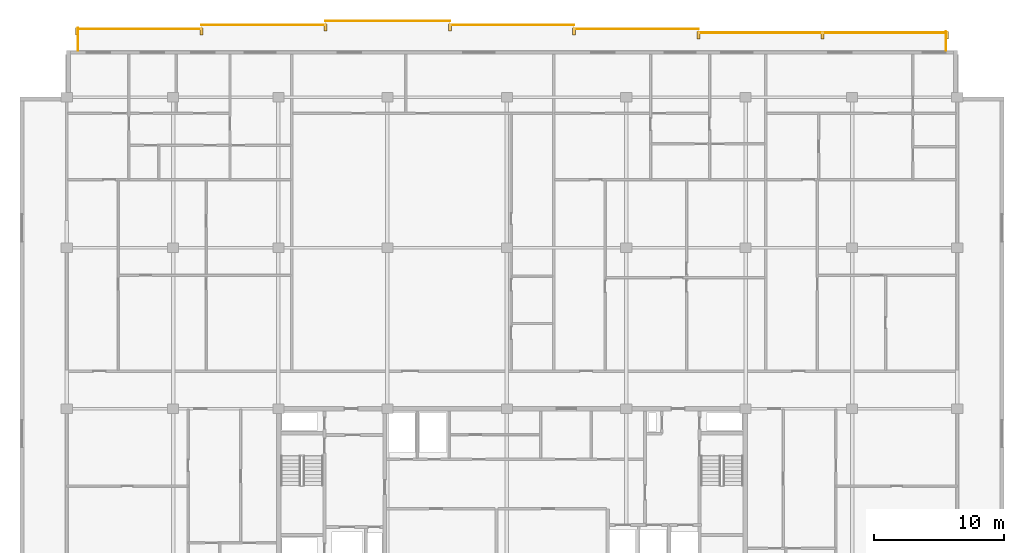
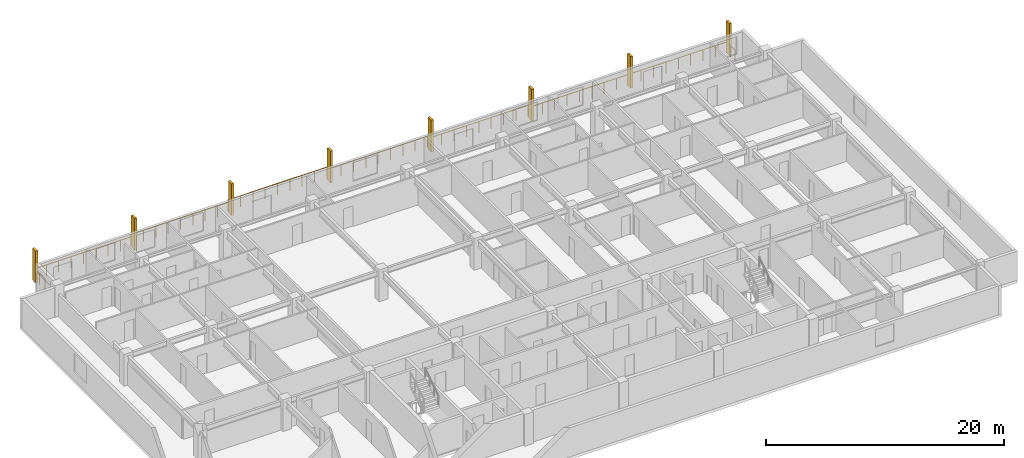
# One storey, part 10 of 10: 8 railings, 8 shading devices.
"""IFC4 building model written with IfcOpenShell, lengths in metres."""

from ifc_helpers import new_model, si_unit, direction, frame, origin, origin_2d, place, context, subcontext, project, spatial, rectangle, circle, extrude, material, type_object, element, save


model = new_model("IFC4")

# Units and contexts
model_context = context("Model", 3, precision=1e-05, world=origin(), true_north=direction((0.0, 1.0)))
body_context = subcontext(model_context, "Body", "Model", "MODEL_VIEW")
ifc_project = project(units=[si_unit("LENGTHUNIT", "METRE"), si_unit("AREAUNIT", "SQUARE_METRE"), si_unit("VOLUMEUNIT", "CUBIC_METRE"), si_unit("PLANEANGLEUNIT", "RADIAN"), si_unit("MASSUNIT", "GRAM", prefix="KILO")], contexts=[model_context])

# Site, building, storey
site_placement = place(None, origin())
site = spatial("IfcSite", under=ifc_project, at=site_placement, CompositionType="ELEMENT")
building_placement = place(site_placement, origin())
building = spatial("IfcBuilding", under=site, at=building_placement, Name="Korimba Cascade Residences", CompositionType="ELEMENT")
storey_placement = place(building_placement, frame((0.0, 0.0, 214.10009765625)))
storey = spatial("IfcBuildingStorey", under=building, at=storey_placement, Name="L62", CompositionType="ELEMENT", Elevation=214.10009765625)

# Railings
ifc_material_1 = material(Name="Laminated Glass and Bronze Balustrade", Category="glass")
railing_type = type_object("IfcRailingType", Name="RLG-LOG-1150", PredefinedType="BALUSTRADE", material=ifc_material_1)
railing_1_placement = place(storey_placement, frame((127.52001953125, 94.800048828125, 0.0)))
element("IfcRailing", 1, at=railing_1_placement, inside=storey, type_object=railing_type, Name="L62 Perimeter Guardrail RLG-L62-T1-LOG-01", PredefinedType="BALUSTRADE", context=body_context, shape_type="SweptSolid", body=[
    extrude(circle(Radius=0.02392578125, at=origin_2d()), frame((0.0, 0.0, 1.1259765625), z_axis=(0.0, 1.0, 0.0), x_axis=(-1.0, 0.0, 0.0)), (0.0, 0.0, 1.0), 1.449951171875),
    extrude(circle(Radius=0.02099609375, at=origin_2d()), origin(), (0.0, 0.0, 1.0), 1.101806640625),
    extrude(circle(Radius=0.02099609375, at=origin_2d()), frame((0.0, 0.72509765625, 0.0)), (0.0, 0.0, 1.0), 1.101806640625),
    extrude(circle(Radius=0.02099609375, at=origin_2d()), frame((0.0, 1.449951171875, 0.0)), (0.0, 0.0, 1.0), 1.101806640625),
])
railing_2_placement = place(storey_placement, frame((127.60009765625, 96.169921875, 0.0)))
element("IfcRailing", 2, at=railing_2_placement, inside=storey, type_object=railing_type, Name="L62 Perimeter Guardrail RLG-L62-T1-LOG-02", PredefinedType="BALUSTRADE", context=body_context, shape_type="SweptSolid", body=[
    extrude(circle(Radius=0.02392578125, at=origin_2d()), frame((0.0, 0.0, 1.1259765625), z_axis=(-1.0, 0.0, 0.0), x_axis=(0.0, -1.0, 0.0)), (0.0, 0.0, 1.0), 19.14306640625),
    extrude(circle(Radius=0.02099609375, at=origin_2d()), origin(), (0.0, 0.0, 1.0), 1.101806640625),
    extrude(circle(Radius=0.02099609375, at=origin_2d()), frame((-1.196533203125, 0.0, 0.0)), (0.0, 0.0, 1.0), 1.101806640625),
    extrude(circle(Radius=0.02099609375, at=origin_2d()), frame((-2.392822265625, 0.0, 0.0)), (0.0, 0.0, 1.0), 1.101806640625),
    extrude(circle(Radius=0.02099609375, at=origin_2d()), frame((-3.58935546875, 0.0, 0.0)), (0.0, 0.0, 1.0), 1.101806640625),
    extrude(circle(Radius=0.02099609375, at=origin_2d()), frame((-4.78564453125, 0.0, 0.0)), (0.0, 0.0, 1.0), 1.101806640625),
    extrude(circle(Radius=0.02099609375, at=origin_2d()), frame((-5.982177734375, 0.0, 0.0)), (0.0, 0.0, 1.0), 1.101806640625),
    extrude(circle(Radius=0.02099609375, at=origin_2d()), frame((-7.1787109375, 0.0, 0.0)), (0.0, 0.0, 1.0), 1.101806640625),
    extrude(circle(Radius=0.02099609375, at=origin_2d()), frame((-8.375, 0.0, 0.0)), (0.0, 0.0, 1.0), 1.101806640625),
    extrude(circle(Radius=0.02099609375, at=origin_2d()), frame((-9.571533203125, 0.0, 0.0)), (0.0, 0.0, 1.0), 1.101806640625),
    extrude(circle(Radius=0.02099609375, at=origin_2d()), frame((-10.76806640625, 0.0, 0.0)), (0.0, 0.0, 1.0), 1.101806640625),
    extrude(circle(Radius=0.02099609375, at=origin_2d()), frame((-11.96435546875, 0.0, 0.0)), (0.0, 0.0, 1.0), 1.101806640625),
    extrude(circle(Radius=0.02099609375, at=origin_2d()), frame((-13.160888671875, 0.0, 0.0)), (0.0, 0.0, 1.0), 1.101806640625),
    extrude(circle(Radius=0.02099609375, at=origin_2d()), frame((-14.357421875, 0.0, 0.0)), (0.0, 0.0, 1.0), 1.101806640625),
    extrude(circle(Radius=0.02099609375, at=origin_2d()), frame((-15.5537109375, 0.0, 0.0)), (0.0, 0.0, 1.0), 1.101806640625),
    extrude(circle(Radius=0.02099609375, at=origin_2d()), frame((-16.750244140625, 0.0, 0.0)), (0.0, 0.0, 1.0), 1.101806640625),
    extrude(circle(Radius=0.02099609375, at=origin_2d()), frame((-17.946533203125, 0.0, 0.0)), (0.0, 0.0, 1.0), 1.101806640625),
    extrude(circle(Radius=0.02099609375, at=origin_2d()), frame((-19.14306640625, 0.0, 0.0)), (0.0, 0.0, 1.0), 1.101806640625),
])
railing_3_placement = place(storey_placement, frame((108.45703125, 96.469970703125, 0.0)))
element("IfcRailing", 3, at=railing_3_placement, inside=storey, type_object=railing_type, Name="L62 Perimeter Guardrail RLG-L62-T1-LOG-03", PredefinedType="BALUSTRADE", context=body_context, shape_type="SweptSolid", body=[
    extrude(circle(Radius=0.02392578125, at=origin_2d()), frame((0.0, 0.0, 1.1259765625), z_axis=(-1.0, 0.0, 0.0), x_axis=(0.0, -1.0, 0.0)), (0.0, 0.0, 1.0), 9.5712890625),
    extrude(circle(Radius=0.02099609375, at=origin_2d()), origin(), (0.0, 0.0, 1.0), 1.101806640625),
    extrude(circle(Radius=0.02099609375, at=origin_2d()), frame((-1.1962890625, 0.0, 0.0)), (0.0, 0.0, 1.0), 1.101806640625),
    extrude(circle(Radius=0.02099609375, at=origin_2d()), frame((-2.392822265625, 0.0, 0.0)), (0.0, 0.0, 1.0), 1.101806640625),
    extrude(circle(Radius=0.02099609375, at=origin_2d()), frame((-3.58935546875, 0.0, 0.0)), (0.0, 0.0, 1.0), 1.101806640625),
    extrude(circle(Radius=0.02099609375, at=origin_2d()), frame((-4.78564453125, 0.0, 0.0)), (0.0, 0.0, 1.0), 1.101806640625),
    extrude(circle(Radius=0.02099609375, at=origin_2d()), frame((-5.98193359375, 0.0, 0.0)), (0.0, 0.0, 1.0), 1.101806640625),
    extrude(circle(Radius=0.02099609375, at=origin_2d()), frame((-7.178466796875, 0.0, 0.0)), (0.0, 0.0, 1.0), 1.101806640625),
    extrude(circle(Radius=0.02099609375, at=origin_2d()), frame((-8.375, 0.0, 0.0)), (0.0, 0.0, 1.0), 1.101806640625),
    extrude(circle(Radius=0.02099609375, at=origin_2d()), frame((-9.5712890625, 0.0, 0.0)), (0.0, 0.0, 1.0), 1.101806640625),
])
railing_4_placement = place(storey_placement, frame((98.8857421875, 96.77001953125, 0.0)))
element("IfcRailing", 4, at=railing_4_placement, inside=storey, type_object=railing_type, Name="L62 Perimeter Guardrail RLG-L62-T1-LOG-04", PredefinedType="BALUSTRADE", context=body_context, shape_type="SweptSolid", body=[
    extrude(circle(Radius=0.02392578125, at=origin_2d()), frame((0.0, 0.0, 1.1259765625), z_axis=(-1.0, 0.0, 0.0), x_axis=(0.0, -1.0, 0.0)), (0.0, 0.0, 1.0), 9.571533203125),
    extrude(circle(Radius=0.02099609375, at=origin_2d()), origin(), (0.0, 0.0, 1.0), 1.101806640625),
    extrude(circle(Radius=0.02099609375, at=origin_2d()), frame((-1.196533203125, 0.0, 0.0)), (0.0, 0.0, 1.0), 1.101806640625),
    extrude(circle(Radius=0.02099609375, at=origin_2d()), frame((-2.392822265625, 0.0, 0.0)), (0.0, 0.0, 1.0), 1.101806640625),
    extrude(circle(Radius=0.02099609375, at=origin_2d()), frame((-3.58935546875, 0.0, 0.0)), (0.0, 0.0, 1.0), 1.101806640625),
    extrude(circle(Radius=0.02099609375, at=origin_2d()), frame((-4.78564453125, 0.0, 0.0)), (0.0, 0.0, 1.0), 1.101806640625),
    extrude(circle(Radius=0.02099609375, at=origin_2d()), frame((-5.982177734375, 0.0, 0.0)), (0.0, 0.0, 1.0), 1.101806640625),
    extrude(circle(Radius=0.02099609375, at=origin_2d()), frame((-7.1787109375, 0.0, 0.0)), (0.0, 0.0, 1.0), 1.101806640625),
    extrude(circle(Radius=0.02099609375, at=origin_2d()), frame((-8.375, 0.0, 0.0)), (0.0, 0.0, 1.0), 1.101806640625),
    extrude(circle(Radius=0.02099609375, at=origin_2d()), frame((-9.571533203125, 0.0, 0.0)), (0.0, 0.0, 1.0), 1.101806640625),
])
railing_5_placement = place(storey_placement, frame((89.314208984375, 97.070068359375, 0.0)))
element("IfcRailing", 5, at=railing_5_placement, inside=storey, type_object=railing_type, Name="L62 Perimeter Guardrail RLG-L62-T1-LOG-05", PredefinedType="BALUSTRADE", context=body_context, shape_type="SweptSolid", body=[
    extrude(circle(Radius=0.02392578125, at=origin_2d()), frame((0.0, 0.0, 1.1259765625), z_axis=(-1.0, 0.0, 0.0), x_axis=(0.0, -1.0, 0.0)), (0.0, 0.0, 1.0), 9.5712890625),
    extrude(circle(Radius=0.02099609375, at=origin_2d()), origin(), (0.0, 0.0, 1.0), 1.101806640625),
    extrude(circle(Radius=0.02099609375, at=origin_2d()), frame((-1.1962890625, 0.0, 0.0)), (0.0, 0.0, 1.0), 1.101806640625),
    extrude(circle(Radius=0.02099609375, at=origin_2d()), frame((-2.392822265625, 0.0, 0.0)), (0.0, 0.0, 1.0), 1.101806640625),
    extrude(circle(Radius=0.02099609375, at=origin_2d()), frame((-3.58935546875, 0.0, 0.0)), (0.0, 0.0, 1.0), 1.101806640625),
    extrude(circle(Radius=0.02099609375, at=origin_2d()), frame((-4.78564453125, 0.0, 0.0)), (0.0, 0.0, 1.0), 1.101806640625),
    extrude(circle(Radius=0.02099609375, at=origin_2d()), frame((-5.98193359375, 0.0, 0.0)), (0.0, 0.0, 1.0), 1.101806640625),
    extrude(circle(Radius=0.02099609375, at=origin_2d()), frame((-7.178466796875, 0.0, 0.0)), (0.0, 0.0, 1.0), 1.101806640625),
    extrude(circle(Radius=0.02099609375, at=origin_2d()), frame((-8.375, 0.0, 0.0)), (0.0, 0.0, 1.0), 1.101806640625),
    extrude(circle(Radius=0.02099609375, at=origin_2d()), frame((-9.5712890625, 0.0, 0.0)), (0.0, 0.0, 1.0), 1.101806640625),
])
railing_6_placement = place(storey_placement, frame((79.742919921875, 96.77001953125, 0.0)))
element("IfcRailing", 6, at=railing_6_placement, inside=storey, type_object=railing_type, Name="L62 Perimeter Guardrail RLG-L62-T1-LOG-06", PredefinedType="BALUSTRADE", context=body_context, shape_type="SweptSolid", body=[
    extrude(circle(Radius=0.02392578125, at=origin_2d()), frame((0.0, 0.0, 1.1259765625), z_axis=(-1.0, 0.0, 0.0), x_axis=(0.0, -1.0, 0.0)), (0.0, 0.0, 1.0), 9.571533203125),
    extrude(circle(Radius=0.02099609375, at=origin_2d()), origin(), (0.0, 0.0, 1.0), 1.101806640625),
    extrude(circle(Radius=0.02099609375, at=origin_2d()), frame((-1.196533203125, 0.0, 0.0)), (0.0, 0.0, 1.0), 1.101806640625),
    extrude(circle(Radius=0.02099609375, at=origin_2d()), frame((-2.392822265625, 0.0, 0.0)), (0.0, 0.0, 1.0), 1.101806640625),
    extrude(circle(Radius=0.02099609375, at=origin_2d()), frame((-3.58935546875, 0.0, 0.0)), (0.0, 0.0, 1.0), 1.101806640625),
    extrude(circle(Radius=0.02099609375, at=origin_2d()), frame((-4.78564453125, 0.0, 0.0)), (0.0, 0.0, 1.0), 1.101806640625),
    extrude(circle(Radius=0.02099609375, at=origin_2d()), frame((-5.982177734375, 0.0, 0.0)), (0.0, 0.0, 1.0), 1.101806640625),
    extrude(circle(Radius=0.02099609375, at=origin_2d()), frame((-7.1787109375, 0.0, 0.0)), (0.0, 0.0, 1.0), 1.101806640625),
    extrude(circle(Radius=0.02099609375, at=origin_2d()), frame((-8.375, 0.0, 0.0)), (0.0, 0.0, 1.0), 1.101806640625),
    extrude(circle(Radius=0.02099609375, at=origin_2d()), frame((-9.571533203125, 0.0, 0.0)), (0.0, 0.0, 1.0), 1.101806640625),
])
railing_7_placement = place(storey_placement, frame((70.17138671875, 96.469970703125, 0.0)))
element("IfcRailing", 7, at=railing_7_placement, inside=storey, type_object=railing_type, Name="L62 Perimeter Guardrail RLG-L62-T1-LOG-07", PredefinedType="BALUSTRADE", context=body_context, shape_type="SweptSolid", body=[
    extrude(circle(Radius=0.02392578125, at=origin_2d()), frame((0.0, 0.0, 1.1259765625), z_axis=(-1.0, 0.0, 0.0), x_axis=(0.0, -1.0, 0.0)), (0.0, 0.0, 1.0), 9.5712890625),
    extrude(circle(Radius=0.02099609375, at=origin_2d()), origin(), (0.0, 0.0, 1.0), 1.101806640625),
    extrude(circle(Radius=0.02099609375, at=origin_2d()), frame((-1.1962890625, 0.0, 0.0)), (0.0, 0.0, 1.0), 1.101806640625),
    extrude(circle(Radius=0.02099609375, at=origin_2d()), frame((-2.392822265625, 0.0, 0.0)), (0.0, 0.0, 1.0), 1.101806640625),
    extrude(circle(Radius=0.02099609375, at=origin_2d()), frame((-3.58935546875, 0.0, 0.0)), (0.0, 0.0, 1.0), 1.101806640625),
    extrude(circle(Radius=0.02099609375, at=origin_2d()), frame((-4.78564453125, 0.0, 0.0)), (0.0, 0.0, 1.0), 1.101806640625),
    extrude(circle(Radius=0.02099609375, at=origin_2d()), frame((-5.98193359375, 0.0, 0.0)), (0.0, 0.0, 1.0), 1.101806640625),
    extrude(circle(Radius=0.02099609375, at=origin_2d()), frame((-7.178466796875, 0.0, 0.0)), (0.0, 0.0, 1.0), 1.101806640625),
    extrude(circle(Radius=0.02099609375, at=origin_2d()), frame((-8.375, 0.0, 0.0)), (0.0, 0.0, 1.0), 1.101806640625),
    extrude(circle(Radius=0.02099609375, at=origin_2d()), frame((-9.5712890625, 0.0, 0.0)), (0.0, 0.0, 1.0), 1.101806640625),
])
railing_8_placement = place(storey_placement, frame((60.679931640625, 96.550048828125, 0.0)))
element("IfcRailing", 8, at=railing_8_placement, inside=storey, type_object=railing_type, Name="L62 Perimeter Guardrail RLG-L62-T1-LOG-08", PredefinedType="BALUSTRADE", context=body_context, shape_type="SweptSolid", body=[
    extrude(circle(Radius=0.02392578125, at=origin_2d()), frame((0.0, 0.0, 1.1259765625), z_axis=(0.0, -1.0, 0.0), x_axis=(1.0, 0.0, 0.0)), (0.0, 0.0, 1.0), 1.75),
    extrude(circle(Radius=0.02099609375, at=origin_2d()), origin(), (0.0, 0.0, 1.0), 1.101806640625),
    extrude(circle(Radius=0.02099609375, at=origin_2d()), frame((0.0, -0.875, 0.0)), (0.0, 0.0, 1.0), 1.101806640625),
    extrude(circle(Radius=0.02099609375, at=origin_2d()), frame((0.0, -1.75, 0.0)), (0.0, 0.0, 1.0), 1.101806640625),
])

# Shading devices
ifc_material_2 = material(Name="Honed Sandstone Precast Fin", Category="masonry")
shading_device_type = type_object("IfcShadingDeviceType", Name="SHD-FIN-550", PredefinedType="USERDEFINED", material=ifc_material_2)
for number, where, z_axis, x_axis, name in (
    (9, (60.60009765625, 96.27490234375, 0.0), (0.0, 0.0, 1.0), (1.0, 0.0, 0.0), "L62 T1 Warm-Stone Loggia Fin 1"),
    (10, (70.17138671875, 96.27490234375, 0.0), (0.0, 0.0, 1.0), (1.0, 0.0, 0.0), "L62 T1 Warm-Stone Loggia Fin 2"),
    (11, (79.742919921875, 96.574951171875, 0.0), (0.0, 0.0, 1.0), (1.0, 0.0, 0.0), "L62 T1 Warm-Stone Loggia Fin 3"),
    (12, (89.314208984375, 96.574951171875, 0.0), (0.0, 0.0, 1.0), (1.0, 0.0, 0.0), "L62 T1 Warm-Stone Loggia Fin 4"),
    (13, (98.8857421875, 96.27490234375, 0.0), (0.0, 0.0, 1.0), (1.0, 0.0, 0.0), "L62 T1 Warm-Stone Loggia Fin 5"),
    (14, (108.45703125, 95.97509765625, 0.0), (0.0, 0.0, 1.0), (1.0, 0.0, 0.0), "L62 T1 Warm-Stone Loggia Fin 6"),
    (15, (118.028564453125, 95.97509765625, 0.0), (0.0, 0.0, 1.0), (1.0, 0.0, 0.0), "L62 T1 Warm-Stone Loggia Fin 7"),
    (16, (127.60009765625, 95.97509765625, 0.0), (0.0, 0.0, 1.0), (1.0, 0.0, 0.0), "L62 T1 Warm-Stone Loggia Fin 8"),
):
    element("IfcShadingDevice", number, at=place(storey_placement, frame(where, z_axis=z_axis, x_axis=x_axis)), inside=storey, type_object=shading_device_type, Name=name, ObjectType="FIN", PredefinedType="USERDEFINED", context=body_context, shape_type="SweptSolid", body=[
        extrude(rectangle(XDim=0.219970703125, YDim=0.550048828125, at=origin_2d()), origin(), (0.0, 0.0, 1.0), 3.25),
    ])

save(model, "model.ifc")
